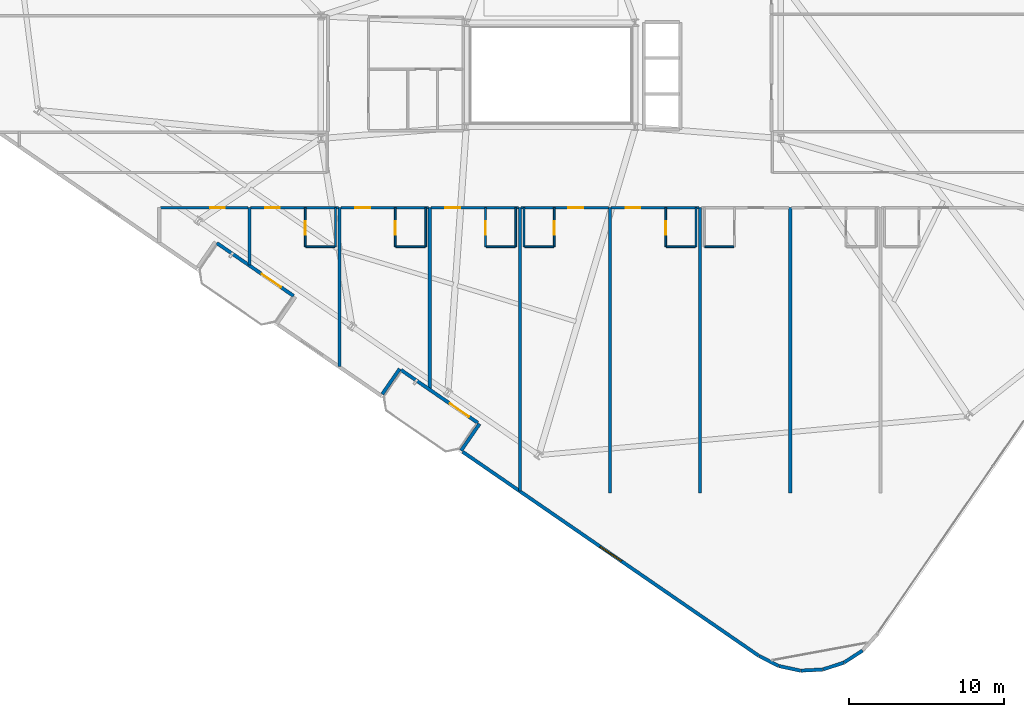
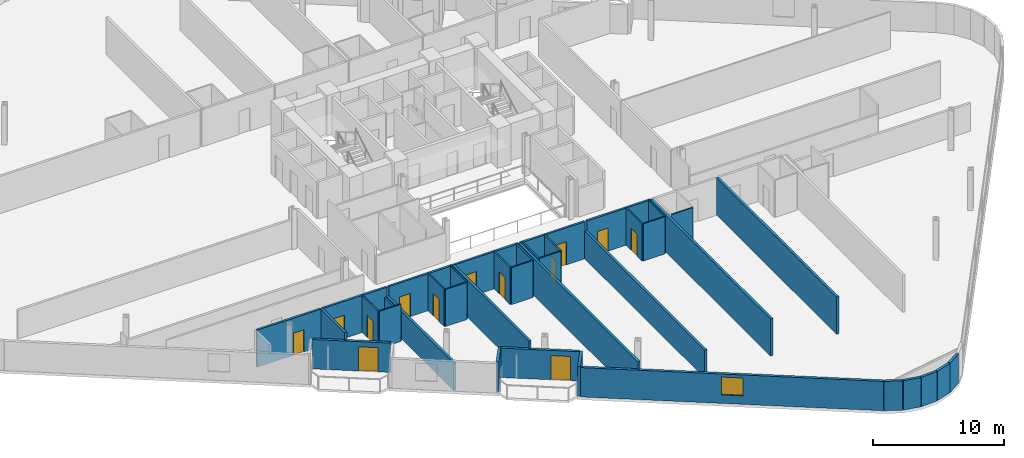
# One storey, part 19 of 27: 39 walls, 13 doors, 1 window, 14 openings.
"""IFC4 building model written with IfcOpenShell, lengths in metres."""

from ifc_helpers import new_model, si_unit, direction, frame, frame_2d, origin, place, context, subcontext, project, spatial, rectangle, extrude, material, layer, layer_set, type_object, element, fill, save


model = new_model("IFC4")

# Units and contexts
model_context = context("Model", 3, precision=1e-05, world=origin(), true_north=direction((0.0, 1.0)))
body_context = subcontext(model_context, "Body", "Model", "MODEL_VIEW")
ifc_project = project(units=[si_unit("LENGTHUNIT", "METRE"), si_unit("AREAUNIT", "SQUARE_METRE"), si_unit("VOLUMEUNIT", "CUBIC_METRE"), si_unit("PLANEANGLEUNIT", "RADIAN"), si_unit("MASSUNIT", "GRAM", prefix="KILO")], contexts=[model_context])

# Site, building, storey
site_placement = place(None, origin())
site = spatial("IfcSite", under=ifc_project, at=site_placement, CompositionType="ELEMENT")
building_placement = place(site_placement, origin())
building = spatial("IfcBuilding", under=site, at=building_placement, Name="Varnelok Gate Tower", CompositionType="ELEMENT")
storey_placement = place(building_placement, frame((0.0, 0.0, 60.300048828125)))
storey = spatial("IfcBuildingStorey", under=building, at=storey_placement, Name="L14", CompositionType="ELEMENT", Elevation=60.300048828125)

# Wall, opening, door
ifc_material_1 = material(Name="Concrete C45/55", Category="concrete")
ifc_layer_1 = layer(ifc_material_1, 0.219970703125)
ifc_layer_set_1 = layer_set([ifc_layer_1], Name="Concrete C45/55")
wall_type_1 = type_object("IfcWallType", Name="EW-BALC-220", PredefinedType="SOLIDWALL", material=ifc_layer_set_1)
wall_1_placement = place(storey_placement, frame((22.642822265625, 8.667236328125, 0.0), z_axis=(0.0, 0.0, 1.0), x_axis=(-0.823534636215, 0.567265989598, 0.0)))
wall_1 = element("IfcWall", 1, at=wall_1_placement, inside=storey, type_object=wall_type_1, Name="L14 South Terrace Envelope Wall 1", PredefinedType="SOLIDWALL", context=body_context, shape_type="SweptSolid", body=[
    extrude(rectangle(XDim=6.0, YDim=0.219970703125, at=frame_2d((3.0, 0.0))), origin(), (0.0, 0.0, 1.0), 2.72998046875),
])
opening_1_placement = place(wall_1_placement, frame((0.991943359375, 0.0, 0.0)))
opening_1 = element("IfcOpeningElement", 2, at=opening_1_placement, cuts=wall_1, Name="Opening BD-1", PredefinedType="OPENING", context=body_context, shape_type="SweptSolid", body=[
    extrude(rectangle(XDim=1.5, YDim=2.25, at=frame_2d((0.75, 1.125))), frame((0.0, 0.119873046875, 0.0), z_axis=(0.0, -1.0, 0.0), x_axis=(1.0, 0.0, 0.0)), (0.0, 0.0, 1.0), 0.239990234375),
])
ifc_material_2 = material(Name="Anodized Aluminum Alloy 6063-T6", Category="aluminium")
door_type_1 = type_object("IfcDoorType", Name="DR-EXT-BALC1500", OperationType="NOTDEFINED", PredefinedType="DOOR", material=ifc_material_2)
door_1_placement = place(opening_1_placement, origin())
door_1 = element("IfcDoor", 3, at=door_1_placement, inside=storey, type_object=door_type_1, Name="L14 South Balcony Glazed Door 1", OperationType="SINGLE_SWING_RIGHT", OverallHeight=2.25, OverallWidth=1.5, PredefinedType="DOOR", context=body_context, shape_type="SweptSolid", body=[
    extrude(rectangle(XDim=1.5, YDim=2.25, at=frame_2d((0.75, 1.125))), frame((0.0, 0.02490234375, 0.0), z_axis=(0.0, -1.0, 0.0), x_axis=(1.0, 0.0, 0.0)), (0.0, 0.0, 1.0), 0.050048828125),
])
fill(opening_1, door_1)

wall_2_placement = place(storey_placement, frame((34.501708984375, 0.49853515625, 0.0), z_axis=(0.0, 0.0, 1.0), x_axis=(-0.823534636215, 0.567265989598, 0.0)))
wall_2 = element("IfcWall", 4, at=wall_2_placement, inside=storey, type_object=wall_type_1, Name="L14 South Terrace Envelope Wall 2", PredefinedType="SOLIDWALL", context=body_context, shape_type="SweptSolid", body=[
    extrude(rectangle(XDim=6.0, YDim=0.219970703125, at=frame_2d((3.0, 0.0))), origin(), (0.0, 0.0, 1.0), 2.72998046875),
])
opening_2_placement = place(wall_2_placement, frame((0.696044921875, 0.0, 0.0)))
opening_2 = element("IfcOpeningElement", 5, at=opening_2_placement, cuts=wall_2, Name="Opening BD-1", PredefinedType="OPENING", context=body_context, shape_type="SweptSolid", body=[
    extrude(rectangle(XDim=1.5, YDim=2.25, at=frame_2d((0.75, 1.125))), frame((0.0, 0.119873046875, 0.0), z_axis=(0.0, -1.0, 0.0), x_axis=(1.0, 0.0, 0.0)), (0.0, 0.0, 1.0), 0.239990234375),
])
door_2_placement = place(opening_2_placement, origin())
door_2 = element("IfcDoor", 6, at=door_2_placement, inside=storey, type_object=door_type_1, Name="L14 South Balcony Glazed Door 2", OperationType="SINGLE_SWING_LEFT", OverallHeight=2.25, OverallWidth=1.5, PredefinedType="DOOR", context=body_context, shape_type="SweptSolid", body=[
    extrude(rectangle(XDim=1.5, YDim=2.25, at=frame_2d((0.75, 1.125))), frame((0.0, 0.02490234375, 0.0), z_axis=(0.0, -1.0, 0.0), x_axis=(1.0, 0.0, 0.0)), (0.0, 0.0, 1.0), 0.050048828125),
])
fill(opening_2, door_2)

# Walls
wall_3_placement = place(storey_placement, frame((28.34716796875, 2.351806640625, 0.0), z_axis=(0.0, 0.0, 1.0), x_axis=(0.567215821234, 0.823569190865, 0.0)))
element("IfcWall", 7, at=wall_3_placement, inside=storey, type_object=wall_type_1, Name="L14 Perimeter Facade Closure Wall 11", PredefinedType="SOLIDWALL", context=body_context, shape_type="SweptSolid", body=[
    extrude(rectangle(XDim=1.97509765625, YDim=0.219970703125, at=frame_2d((0.987548828125, 0.0))), origin(), (0.0, 0.0, 1.0), 2.72998046875),
])
wall_4_placement = place(storey_placement, frame((34.606201171875, 0.438720703125, 0.0), z_axis=(0.0, 0.0, 1.0), x_axis=(-0.567219383419, -0.823566737474, 0.0)))
element("IfcWall", 8, at=wall_4_placement, inside=storey, type_object=wall_type_1, Name="L14 Perimeter Facade Closure Wall 12", PredefinedType="SOLIDWALL", context=body_context, shape_type="SweptSolid", body=[
    extrude(rectangle(XDim=2.10009765625, YDim=0.219970703125, at=frame_2d((1.050048828125, 0.0))), origin(), (0.0, 0.0, 1.0), 2.72998046875),
])

# Wall, opening, window
wall_5_placement = place(storey_placement, frame((33.517822265625, -1.36181640625, 0.0), z_axis=(0.0, 0.0, 1.0), x_axis=(0.82353935489, -0.567259139148, 0.0)))
wall_5 = element("IfcWall", 9, at=wall_5_placement, inside=storey, type_object=wall_type_1, Name="L14 Perimeter Facade Closure Wall 13", PredefinedType="SOLIDWALL", context=body_context, shape_type="SweptSolid", body=[
    extrude(rectangle(XDim=23.14697265625, YDim=0.219970703125, at=frame_2d((11.573486328125, 0.0))), origin(), (0.0, 0.0, 1.0), 2.72998046875),
])
opening_3_placement = place(wall_5_placement, frame((10.74853515625, 0.0, 0.800048828125)))
opening_3 = element("IfcOpeningElement", 10, at=opening_3_placement, cuts=wall_5, Name="Opening WN3", PredefinedType="OPENING", context=body_context, shape_type="SweptSolid", body=[
    extrude(rectangle(XDim=1.64990234375, YDim=1.64990234375, at=frame_2d((0.824951171875, 0.824951171875))), frame((0.0, 0.119873046875, 0.0), z_axis=(0.0, -1.0, 0.0), x_axis=(1.0, 0.0, 0.0)), (0.0, 0.0, 1.0), 0.239990234375),
])
ifc_material_3 = material(Name="Low-E Laminated Double Glazing IGU", Category="glass")
window_type = type_object("IfcWindowType", Name="WN-HTL-1650", PartitioningType="SINGLE_PANEL", PredefinedType="WINDOW", material=ifc_material_3)
window_placement = place(opening_3_placement, origin())
window = element("IfcWindow", 11, at=window_placement, inside=storey, type_object=window_type, Name="L14 Perimeter Vision Window 13", OverallHeight=1.64990234375, OverallWidth=1.64990234375, PartitioningType="SINGLE_PANEL", PredefinedType="WINDOW", context=body_context, shape_type="SweptSolid", body=[
    extrude(rectangle(XDim=1.64990234375, YDim=1.64990234375, at=frame_2d((0.824951171875, 0.824951171875))), frame((0.0, 0.030029296875, 0.0), z_axis=(0.0, -1.0, 0.0), x_axis=(1.0, 0.0, 0.0)), (0.0, 0.0, 1.0), 0.06005859375),
])
fill(opening_3, window)

# Walls
wall_6_placement = place(storey_placement, frame((52.602783203125, -14.503662109375, 0.0), z_axis=(0.0, 0.0, 1.0), x_axis=(0.89052335693, -0.45493752402, 0.0)))
element("IfcWall", 12, at=wall_6_placement, inside=storey, type_object=wall_type_1, Name="L14 Perimeter Facade Closure Wall 14", PredefinedType="SOLIDWALL", context=body_context, shape_type="SweptSolid", body=[
    extrude(rectangle(XDim=1.4130859375, YDim=0.219970703125, at=frame_2d((0.70654296875, 0.0))), origin(), (0.0, 0.0, 1.0), 2.72998046875),
])
for number, where, z_axis, x_axis, name in (
    (13, (53.8857421875, -15.15185546875, 0.0), (0.0, 0.0, 1.0), (0.977952168511, -0.208829011645, 0.0), "L14 Perimeter Facade Closure Wall 15"),
    (14, (55.284912109375, -15.444091796875, 0.0), (0.0, 0.0, 1.0), (0.998685611917, 0.051254741739, 0.0), "L14 Perimeter Facade Closure Wall 16"),
    (15, (56.712158203125, -15.364501953125, 0.0), (0.0, 0.0, 1.0), (0.95132472924, 0.308190297603, 0.0), "L14 Perimeter Facade Closure Wall 17"),
    (16, (58.070068359375, -14.91796875, 0.0), (0.0, 0.0, 1.0), (0.839248413468, 0.543748195851, 0.0), "L14 Perimeter Facade Closure Wall 18"),
):
    element("IfcWall", number, at=place(storey_placement, frame(where, z_axis=z_axis, x_axis=x_axis)), inside=storey, type_object=wall_type_1, Name=name, PredefinedType="SOLIDWALL", context=body_context, shape_type="SweptSolid", body=[
        extrude(rectangle(XDim=1.4052734375, YDim=0.219970703125, at=frame_2d((0.70263671875, 0.0))), origin(), (0.0, 0.0, 1.0), 2.72998046875),
    ])

# Wall, opening, door
ifc_material_4 = material(Name="Gypsum Plasterboard Acoustic Partition", Category="gypsum")
ifc_layer_2 = layer(ifc_material_4, 0.179931640625)
ifc_layer_set_2 = layer_set([ifc_layer_2], Name="Gypsum Plasterboard Acoustic Partition")
wall_type_2 = type_object("IfcWallType", Name="PW-CORR-180", PredefinedType="PARTITIONING", material=ifc_layer_set_2)
wall_7_placement = place(storey_placement, frame((14.080078125, 14.35009765625, 0.0), z_axis=(0.0, 0.0, 1.0), x_axis=(1.0, 0.0, 0.0)))
wall_7 = element("IfcWall", 17, at=wall_7_placement, inside=storey, type_object=wall_type_2, Name="Interior Partition", PredefinedType="PARTITIONING", context=body_context, shape_type="SweptSolid", body=[
    extrude(rectangle(XDim=5.639892578125, YDim=0.179931640625, at=frame_2d((2.81982421875, 0.0))), origin(), (0.0, 0.0, 1.0), 3.449951171875),
])
opening_4_placement = place(wall_7_placement, frame((3.195068359375, 0.0, 0.0)))
opening_4 = element("IfcOpeningElement", 18, at=opening_4_placement, cuts=wall_7, Name="Opening D-I2", PredefinedType="OPENING", context=body_context, shape_type="SweptSolid", body=[
    extrude(rectangle(XDim=0.949951171875, YDim=2.050048828125, at=frame_2d((0.47509765625, 1.02490234375))), frame((0.0, 0.099853515625, 0.0), z_axis=(0.0, -1.0, 0.0), x_axis=(1.0, 0.0, 0.0)), (0.0, 0.0, 1.0), 0.199951171875),
])
ifc_material_5 = material(Name="Engineered Hardwood Timber", Category="wood")
door_type_2 = type_object("IfcDoorType", Name="DR-INT-950", OperationType="NOTDEFINED", PredefinedType="DOOR", material=ifc_material_5)
door_3_placement = place(opening_4_placement, origin())
door_3 = element("IfcDoor", 19, at=door_3_placement, inside=storey, type_object=door_type_2, Name="L14 Executive Business Office 1 Door", OperationType="SINGLE_SWING_LEFT", OverallHeight=2.050048828125, OverallWidth=0.949951171875, PredefinedType="DOOR", context=body_context, shape_type="SweptSolid", body=[
    extrude(rectangle(XDim=0.949951171875, YDim=2.050048828125, at=frame_2d((0.47509765625, 1.02490234375))), frame((0.0, 0.02490234375, 0.0), z_axis=(0.0, -1.0, 0.0), x_axis=(1.0, 0.0, 0.0)), (0.0, 0.0, 1.0), 0.050048828125),
])
fill(opening_4, door_3)

wall_8_placement = place(storey_placement, frame((19.8798828125, 14.35009765625, 0.0), z_axis=(0.0, 0.0, 1.0), x_axis=(1.0, 0.0, 0.0)))
wall_8 = element("IfcWall", 20, at=wall_8_placement, inside=storey, type_object=wall_type_2, Name="Interior Partition", PredefinedType="PARTITIONING", context=body_context, shape_type="SweptSolid", body=[
    extrude(rectangle(XDim=5.64013671875, YDim=0.179931640625, at=frame_2d((2.820068359375, 0.0))), origin(), (0.0, 0.0, 1.0), 3.449951171875),
])
opening_5_placement = place(wall_8_placement, frame((0.9326171875, 0.0, 0.0)))
opening_5 = element("IfcOpeningElement", 21, at=opening_5_placement, cuts=wall_8, Name="Opening D-HT", PredefinedType="OPENING", context=body_context, shape_type="SweptSolid", body=[
    extrude(rectangle(XDim=0.949951171875, YDim=2.14990234375, at=frame_2d((0.47509765625, 1.074951171875))), frame((0.0, 0.099853515625, 0.0), z_axis=(0.0, -1.0, 0.0), x_axis=(1.0, 0.0, 0.0)), (0.0, 0.0, 1.0), 0.199951171875),
])
door_type_3 = type_object("IfcDoorType", Name="DR-HTL-950", OperationType="NOTDEFINED", PredefinedType="DOOR", material=ifc_material_5)
door_4_placement = place(opening_5_placement, origin())
door_4 = element("IfcDoor", 22, at=door_4_placement, inside=storey, type_object=door_type_3, Name="L14 Guest Room 03 Entrance Door", OperationType="SINGLE_SWING_RIGHT", OverallHeight=2.14990234375, OverallWidth=0.949951171875, PredefinedType="DOOR", context=body_context, shape_type="SweptSolid", body=[
    extrude(rectangle(XDim=0.949951171875, YDim=2.14990234375, at=frame_2d((0.47509765625, 1.074951171875))), frame((0.0, 0.02490234375, 0.0), z_axis=(0.0, -1.0, 0.0), x_axis=(1.0, 0.0, 0.0)), (0.0, 0.0, 1.0), 0.050048828125),
])
fill(opening_5, door_4)

wall_9_placement = place(storey_placement, frame((25.679931640625, 14.35009765625, 0.0), z_axis=(0.0, 0.0, 1.0), x_axis=(1.0, 0.0, 0.0)))
wall_9 = element("IfcWall", 23, at=wall_9_placement, inside=storey, type_object=wall_type_2, Name="Interior Partition", PredefinedType="PARTITIONING", context=body_context, shape_type="SweptSolid", body=[
    extrude(rectangle(XDim=5.64013671875, YDim=0.179931640625, at=frame_2d((2.820068359375, 0.0))), origin(), (0.0, 0.0, 1.0), 3.449951171875),
])
opening_6_placement = place(wall_9_placement, frame((0.9326171875, 0.0, 0.0)))
opening_6 = element("IfcOpeningElement", 24, at=opening_6_placement, cuts=wall_9, Name="Opening D-HT", PredefinedType="OPENING", context=body_context, shape_type="SweptSolid", body=[
    extrude(rectangle(XDim=0.949951171875, YDim=2.14990234375, at=frame_2d((0.47509765625, 1.074951171875))), frame((0.0, 0.099853515625, 0.0), z_axis=(0.0, -1.0, 0.0), x_axis=(1.0, 0.0, 0.0)), (0.0, 0.0, 1.0), 0.199951171875),
])
door_5_placement = place(opening_6_placement, origin())
door_5 = element("IfcDoor", 25, at=door_5_placement, inside=storey, type_object=door_type_3, Name="L14 Guest Room 04 Entrance Door", OperationType="SINGLE_SWING_LEFT", OverallHeight=2.14990234375, OverallWidth=0.949951171875, PredefinedType="DOOR", context=body_context, shape_type="SweptSolid", body=[
    extrude(rectangle(XDim=0.949951171875, YDim=2.14990234375, at=frame_2d((0.47509765625, 1.074951171875))), frame((0.0, 0.02490234375, 0.0), z_axis=(0.0, -1.0, 0.0), x_axis=(1.0, 0.0, 0.0)), (0.0, 0.0, 1.0), 0.050048828125),
])
fill(opening_6, door_5)

wall_10_placement = place(storey_placement, frame((31.47998046875, 14.35009765625, 0.0), z_axis=(0.0, 0.0, 1.0), x_axis=(1.0, 0.0, 0.0)))
wall_10 = element("IfcWall", 26, at=wall_10_placement, inside=storey, type_object=wall_type_2, Name="Interior Partition", PredefinedType="PARTITIONING", context=body_context, shape_type="SweptSolid", body=[
    extrude(rectangle(XDim=5.64013671875, YDim=0.179931640625, at=frame_2d((2.820068359375, 0.0))), origin(), (0.0, 0.0, 1.0), 3.449951171875),
])
opening_7_placement = place(wall_10_placement, frame((0.9326171875, 0.0, 0.0)))
opening_7 = element("IfcOpeningElement", 27, at=opening_7_placement, cuts=wall_10, Name="Opening D-HT", PredefinedType="OPENING", context=body_context, shape_type="SweptSolid", body=[
    extrude(rectangle(XDim=0.949951171875, YDim=2.14990234375, at=frame_2d((0.47509765625, 1.074951171875))), frame((0.0, 0.099853515625, 0.0), z_axis=(0.0, -1.0, 0.0), x_axis=(1.0, 0.0, 0.0)), (0.0, 0.0, 1.0), 0.199951171875),
])
door_6_placement = place(opening_7_placement, origin())
door_6 = element("IfcDoor", 28, at=door_6_placement, inside=storey, type_object=door_type_3, Name="L14 Guest Room 05 Entrance Door", OperationType="SINGLE_SWING_RIGHT", OverallHeight=2.14990234375, OverallWidth=0.949951171875, PredefinedType="DOOR", context=body_context, shape_type="SweptSolid", body=[
    extrude(rectangle(XDim=0.949951171875, YDim=2.14990234375, at=frame_2d((0.47509765625, 1.074951171875))), frame((0.0, 0.02490234375, 0.0), z_axis=(0.0, -1.0, 0.0), x_axis=(1.0, 0.0, 0.0)), (0.0, 0.0, 1.0), 0.050048828125),
])
fill(opening_7, door_6)

wall_11_placement = place(storey_placement, frame((37.280029296875, 14.35009765625, 0.0), z_axis=(0.0, 0.0, 1.0), x_axis=(1.0, 0.0, 0.0)))
wall_11 = element("IfcWall", 29, at=wall_11_placement, inside=storey, type_object=wall_type_2, Name="Interior Partition", PredefinedType="PARTITIONING", context=body_context, shape_type="SweptSolid", body=[
    extrude(rectangle(XDim=5.639892578125, YDim=0.179931640625, at=frame_2d((2.81982421875, 0.0))), origin(), (0.0, 0.0, 1.0), 3.449951171875),
])
opening_8_placement = place(wall_11_placement, frame((3.044677734375, 0.0, 0.0)))
opening_8 = element("IfcOpeningElement", 30, at=opening_8_placement, cuts=wall_11, Name="Opening D-HT", PredefinedType="OPENING", context=body_context, shape_type="SweptSolid", body=[
    extrude(rectangle(XDim=0.949951171875, YDim=2.14990234375, at=frame_2d((0.47509765625, 1.074951171875))), frame((0.0, 0.099853515625, 0.0), z_axis=(0.0, -1.0, 0.0), x_axis=(1.0, 0.0, 0.0)), (0.0, 0.0, 1.0), 0.199951171875),
])
door_7_placement = place(opening_8_placement, origin())
door_7 = element("IfcDoor", 31, at=door_7_placement, inside=storey, type_object=door_type_3, Name="L14 Guest Room 06 Entrance Door", OperationType="SINGLE_SWING_LEFT", OverallHeight=2.14990234375, OverallWidth=0.949951171875, PredefinedType="DOOR", context=body_context, shape_type="SweptSolid", body=[
    extrude(rectangle(XDim=0.949951171875, YDim=2.14990234375, at=frame_2d((0.47509765625, 1.074951171875))), frame((0.0, 0.02490234375, 0.0), z_axis=(0.0, -1.0, 0.0), x_axis=(1.0, 0.0, 0.0)), (0.0, 0.0, 1.0), 0.050048828125),
])
fill(opening_8, door_7)

wall_12_placement = place(storey_placement, frame((43.080078125, 14.35009765625, 0.0), z_axis=(0.0, 0.0, 1.0), x_axis=(1.0, 0.0, 0.0)))
wall_12 = element("IfcWall", 32, at=wall_12_placement, inside=storey, type_object=wall_type_2, Name="Interior Partition", PredefinedType="PARTITIONING", context=body_context, shape_type="SweptSolid", body=[
    extrude(rectangle(XDim=5.639892578125, YDim=0.179931640625, at=frame_2d((2.81982421875, 0.0))), origin(), (0.0, 0.0, 1.0), 3.449951171875),
])
opening_9_placement = place(wall_12_placement, frame((0.9326171875, 0.0, 0.0)))
opening_9 = element("IfcOpeningElement", 33, at=opening_9_placement, cuts=wall_12, Name="Opening D-HT", PredefinedType="OPENING", context=body_context, shape_type="SweptSolid", body=[
    extrude(rectangle(XDim=0.949951171875, YDim=2.14990234375, at=frame_2d((0.47509765625, 1.074951171875))), frame((0.0, 0.099853515625, 0.0), z_axis=(0.0, -1.0, 0.0), x_axis=(1.0, 0.0, 0.0)), (0.0, 0.0, 1.0), 0.199951171875),
])
door_8_placement = place(opening_9_placement, origin())
door_8 = element("IfcDoor", 34, at=door_8_placement, inside=storey, type_object=door_type_3, Name="L14 Guest Room 07 Entrance Door", OperationType="SINGLE_SWING_RIGHT", OverallHeight=2.14990234375, OverallWidth=0.949951171875, PredefinedType="DOOR", context=body_context, shape_type="SweptSolid", body=[
    extrude(rectangle(XDim=0.949951171875, YDim=2.14990234375, at=frame_2d((0.47509765625, 1.074951171875))), frame((0.0, 0.02490234375, 0.0), z_axis=(0.0, -1.0, 0.0), x_axis=(1.0, 0.0, 0.0)), (0.0, 0.0, 1.0), 0.050048828125),
])
fill(opening_9, door_8)

# Wall
ifc_layer_3 = layer(ifc_material_4, 0.114990234375)
ifc_layer_set_3 = layer_set([ifc_layer_3], Name="Gypsum Plasterboard Acoustic Partition")
wall_type_3 = type_object("IfcWallType", Name="PW-ENS-125", PredefinedType="PARTITIONING", material=ifc_layer_set_3)
wall_13_placement = place(storey_placement, frame((23.427978515625, 11.830078125, 0.0), z_axis=(0.0, 0.0, 1.0), x_axis=(1.0, 0.0, 0.0)))
element("IfcWall", 35, at=wall_13_placement, inside=storey, type_object=wall_type_3, Name="Interior Partition", PredefinedType="PARTITIONING", context=body_context, shape_type="SweptSolid", body=[
    extrude(rectangle(XDim=1.8720703125, YDim=0.114990234375, at=frame_2d((0.93603515625, 0.0))), origin(), (0.0, 0.0, 1.0), 3.449951171875),
])

# Wall, opening, door
wall_14_placement = place(storey_placement, frame((23.387939453125, 11.830078125, 0.0), z_axis=(0.0, 0.0, 1.0), x_axis=(0.0, 1.0, 0.0)))
wall_14 = element("IfcWall", 36, at=wall_14_placement, inside=storey, type_object=wall_type_3, Name="Interior Partition", PredefinedType="PARTITIONING", context=body_context, shape_type="SweptSolid", body=[
    extrude(rectangle(XDim=2.52001953125, YDim=0.114990234375, at=frame_2d((1.260009765625, 0.0))), origin(), (0.0, 0.0, 1.0), 3.449951171875),
])
opening_10_placement = place(wall_14_placement, frame((0.760009765625, 0.0, 0.0)))
opening_10 = element("IfcOpeningElement", 37, at=opening_10_placement, cuts=wall_14, Name="Opening D-WC", PredefinedType="OPENING", context=body_context, shape_type="SweptSolid", body=[
    extrude(rectangle(XDim=0.89990234375, YDim=2.050048828125, at=frame_2d((0.449951171875, 1.02490234375))), frame((0.0, 0.0673828125, 0.0), z_axis=(0.0, -1.0, 0.0), x_axis=(1.0, 0.0, 0.0)), (0.0, 0.0, 1.0), 0.135009765625),
])
door_type_4 = type_object("IfcDoorType", Name="DR-BATH-900", OperationType="NOTDEFINED", PredefinedType="DOOR", material=ifc_material_5)
door_9_placement = place(opening_10_placement, origin())
door_9 = element("IfcDoor", 38, at=door_9_placement, inside=storey, type_object=door_type_4, Name="L14 Guest En-Suite 03 Door", OperationType="SINGLE_SWING_RIGHT", OverallHeight=2.050048828125, OverallWidth=0.89990234375, PredefinedType="DOOR", context=body_context, shape_type="SweptSolid", body=[
    extrude(rectangle(XDim=0.89990234375, YDim=2.050048828125, at=frame_2d((0.449951171875, 1.02490234375))), frame((0.0, 0.02490234375, 0.0), z_axis=(0.0, -1.0, 0.0), x_axis=(1.0, 0.0, 0.0)), (0.0, 0.0, 1.0), 0.050048828125),
])
fill(opening_10, door_9)

# Walls
wall_15_placement = place(storey_placement, frame((25.340087890625, 11.830078125, 0.0), z_axis=(0.0, 0.0, 1.0), x_axis=(0.0, 1.0, 0.0)))
element("IfcWall", 39, at=wall_15_placement, inside=storey, type_object=wall_type_3, Name="Interior Partition", PredefinedType="PARTITIONING", context=body_context, shape_type="SweptSolid", body=[
    extrude(rectangle(XDim=2.52001953125, YDim=0.114990234375, at=frame_2d((1.260009765625, 0.0))), origin(), (0.0, 0.0, 1.0), 2.579833984375),
])
wall_16_placement = place(storey_placement, frame((29.22802734375, 11.830078125, 0.0), z_axis=(0.0, 0.0, 1.0), x_axis=(1.0, 0.0, 0.0)))
element("IfcWall", 40, at=wall_16_placement, inside=storey, type_object=wall_type_3, Name="Interior Partition", PredefinedType="PARTITIONING", context=body_context, shape_type="SweptSolid", body=[
    extrude(rectangle(XDim=1.8720703125, YDim=0.114990234375, at=frame_2d((0.93603515625, 0.0))), origin(), (0.0, 0.0, 1.0), 3.449951171875),
])

# Wall, opening, door
wall_17_placement = place(storey_placement, frame((29.18798828125, 11.830078125, 0.0), z_axis=(0.0, 0.0, 1.0), x_axis=(0.0, 1.0, 0.0)))
wall_17 = element("IfcWall", 41, at=wall_17_placement, inside=storey, type_object=wall_type_3, Name="Interior Partition", PredefinedType="PARTITIONING", context=body_context, shape_type="SweptSolid", body=[
    extrude(rectangle(XDim=2.52001953125, YDim=0.114990234375, at=frame_2d((1.260009765625, 0.0))), origin(), (0.0, 0.0, 1.0), 3.449951171875),
])
opening_11_placement = place(wall_17_placement, frame((0.760009765625, 0.0, 0.0)))
opening_11 = element("IfcOpeningElement", 42, at=opening_11_placement, cuts=wall_17, Name="Opening D-WC", PredefinedType="OPENING", context=body_context, shape_type="SweptSolid", body=[
    extrude(rectangle(XDim=0.89990234375, YDim=2.050048828125, at=frame_2d((0.449951171875, 1.02490234375))), frame((0.0, 0.0673828125, 0.0), z_axis=(0.0, -1.0, 0.0), x_axis=(1.0, 0.0, 0.0)), (0.0, 0.0, 1.0), 0.135009765625),
])
door_10_placement = place(opening_11_placement, origin())
door_10 = element("IfcDoor", 43, at=door_10_placement, inside=storey, type_object=door_type_4, Name="L14 Guest En-Suite 04 Door", OperationType="SINGLE_SWING_RIGHT", OverallHeight=2.050048828125, OverallWidth=0.89990234375, PredefinedType="DOOR", context=body_context, shape_type="SweptSolid", body=[
    extrude(rectangle(XDim=0.89990234375, YDim=2.050048828125, at=frame_2d((0.449951171875, 1.02490234375))), frame((0.0, 0.02490234375, 0.0), z_axis=(0.0, -1.0, 0.0), x_axis=(1.0, 0.0, 0.0)), (0.0, 0.0, 1.0), 0.050048828125),
])
fill(opening_11, door_10)

# Walls
wall_18_placement = place(storey_placement, frame((31.139892578125, 11.830078125, 0.0), z_axis=(0.0, 0.0, 1.0), x_axis=(0.0, 1.0, 0.0)))
element("IfcWall", 44, at=wall_18_placement, inside=storey, type_object=wall_type_3, Name="Interior Partition", PredefinedType="PARTITIONING", context=body_context, shape_type="SweptSolid", body=[
    extrude(rectangle(XDim=2.52001953125, YDim=0.114990234375, at=frame_2d((1.260009765625, 0.0))), origin(), (0.0, 0.0, 1.0), 3.449951171875),
])
wall_19_placement = place(storey_placement, frame((35.028076171875, 11.830078125, 0.0), z_axis=(0.0, 0.0, 1.0), x_axis=(1.0, 0.0, 0.0)))
element("IfcWall", 45, at=wall_19_placement, inside=storey, type_object=wall_type_3, Name="Interior Partition", PredefinedType="PARTITIONING", context=body_context, shape_type="SweptSolid", body=[
    extrude(rectangle(XDim=1.871826171875, YDim=0.114990234375, at=frame_2d((0.93603515625, 0.0))), origin(), (0.0, 0.0, 1.0), 3.449951171875),
])

# Wall, opening, door
wall_20_placement = place(storey_placement, frame((34.988037109375, 11.830078125, 0.0), z_axis=(0.0, 0.0, 1.0), x_axis=(0.0, 1.0, 0.0)))
wall_20 = element("IfcWall", 46, at=wall_20_placement, inside=storey, type_object=wall_type_3, Name="Interior Partition", PredefinedType="PARTITIONING", context=body_context, shape_type="SweptSolid", body=[
    extrude(rectangle(XDim=2.52001953125, YDim=0.114990234375, at=frame_2d((1.260009765625, 0.0))), origin(), (0.0, 0.0, 1.0), 3.449951171875),
])
opening_12_placement = place(wall_20_placement, frame((0.760009765625, 0.0, 0.0)))
opening_12 = element("IfcOpeningElement", 47, at=opening_12_placement, cuts=wall_20, Name="Opening D-WC", PredefinedType="OPENING", context=body_context, shape_type="SweptSolid", body=[
    extrude(rectangle(XDim=0.89990234375, YDim=2.050048828125, at=frame_2d((0.449951171875, 1.02490234375))), frame((0.0, 0.0673828125, 0.0), z_axis=(0.0, -1.0, 0.0), x_axis=(1.0, 0.0, 0.0)), (0.0, 0.0, 1.0), 0.135009765625),
])
door_11_placement = place(opening_12_placement, origin())
door_11 = element("IfcDoor", 48, at=door_11_placement, inside=storey, type_object=door_type_4, Name="L14 Guest En-Suite 05 Door", OperationType="SINGLE_SWING_RIGHT", OverallHeight=2.050048828125, OverallWidth=0.89990234375, PredefinedType="DOOR", context=body_context, shape_type="SweptSolid", body=[
    extrude(rectangle(XDim=0.89990234375, YDim=2.050048828125, at=frame_2d((0.449951171875, 1.02490234375))), frame((0.0, 0.02490234375, 0.0), z_axis=(0.0, -1.0, 0.0), x_axis=(1.0, 0.0, 0.0)), (0.0, 0.0, 1.0), 0.050048828125),
])
fill(opening_12, door_11)

# Walls
wall_21_placement = place(storey_placement, frame((36.93994140625, 11.830078125, 0.0), z_axis=(0.0, 0.0, 1.0), x_axis=(0.0, 1.0, 0.0)))
element("IfcWall", 49, at=wall_21_placement, inside=storey, type_object=wall_type_3, Name="Interior Partition", PredefinedType="PARTITIONING", context=body_context, shape_type="SweptSolid", body=[
    extrude(rectangle(XDim=2.52001953125, YDim=0.114990234375, at=frame_2d((1.260009765625, 0.0))), origin(), (0.0, 0.0, 1.0), 3.449951171875),
])
wall_22_placement = place(storey_placement, frame((37.5, 11.830078125, 0.0), z_axis=(0.0, 0.0, 1.0), x_axis=(1.0, 0.0, 0.0)))
element("IfcWall", 50, at=wall_22_placement, inside=storey, type_object=wall_type_3, Name="Interior Partition", PredefinedType="PARTITIONING", context=body_context, shape_type="SweptSolid", body=[
    extrude(rectangle(XDim=1.8720703125, YDim=0.114990234375, at=frame_2d((0.93603515625, 0.0))), origin(), (0.0, 0.0, 1.0), 3.449951171875),
])

# Wall, opening, door
wall_23_placement = place(storey_placement, frame((39.412109375, 11.830078125, 0.0), z_axis=(0.0, 0.0, 1.0), x_axis=(0.0, 1.0, 0.0)))
wall_23 = element("IfcWall", 51, at=wall_23_placement, inside=storey, type_object=wall_type_3, Name="Interior Partition", PredefinedType="PARTITIONING", context=body_context, shape_type="SweptSolid", body=[
    extrude(rectangle(XDim=2.52001953125, YDim=0.114990234375, at=frame_2d((1.260009765625, 0.0))), origin(), (0.0, 0.0, 1.0), 3.449951171875),
])
opening_13_placement = place(wall_23_placement, frame((0.760009765625, 0.0, 0.0)))
opening_13 = element("IfcOpeningElement", 52, at=opening_13_placement, cuts=wall_23, Name="Opening D-WC", PredefinedType="OPENING", context=body_context, shape_type="SweptSolid", body=[
    extrude(rectangle(XDim=0.89990234375, YDim=2.050048828125, at=frame_2d((0.449951171875, 1.02490234375))), frame((0.0, 0.0673828125, 0.0), z_axis=(0.0, -1.0, 0.0), x_axis=(1.0, 0.0, 0.0)), (0.0, 0.0, 1.0), 0.135009765625),
])
door_12_placement = place(opening_13_placement, origin())
door_12 = element("IfcDoor", 53, at=door_12_placement, inside=storey, type_object=door_type_4, Name="L14 Guest En-Suite 06 Door", OperationType="SINGLE_SWING_LEFT", OverallHeight=2.050048828125, OverallWidth=0.89990234375, PredefinedType="DOOR", context=body_context, shape_type="SweptSolid", body=[
    extrude(rectangle(XDim=0.89990234375, YDim=2.050048828125, at=frame_2d((0.449951171875, 1.02490234375))), frame((0.0, 0.02490234375, 0.0), z_axis=(0.0, -1.0, 0.0), x_axis=(1.0, 0.0, 0.0)), (0.0, 0.0, 1.0), 0.050048828125),
])
fill(opening_13, door_12)

# Walls
wall_24_placement = place(storey_placement, frame((37.4599609375, 11.830078125, 0.0), z_axis=(0.0, 0.0, 1.0), x_axis=(0.0, 1.0, 0.0)))
element("IfcWall", 54, at=wall_24_placement, inside=storey, type_object=wall_type_3, Name="Interior Partition", PredefinedType="PARTITIONING", context=body_context, shape_type="SweptSolid", body=[
    extrude(rectangle(XDim=2.52001953125, YDim=0.114990234375, at=frame_2d((1.260009765625, 0.0))), origin(), (0.0, 0.0, 1.0), 3.449951171875),
])
wall_25_placement = place(storey_placement, frame((46.6279296875, 11.830078125, 0.0), z_axis=(0.0, 0.0, 1.0), x_axis=(1.0, 0.0, 0.0)))
element("IfcWall", 55, at=wall_25_placement, inside=storey, type_object=wall_type_3, Name="Interior Partition", PredefinedType="PARTITIONING", context=body_context, shape_type="SweptSolid", body=[
    extrude(rectangle(XDim=1.8720703125, YDim=0.114990234375, at=frame_2d((0.93603515625, 0.0))), origin(), (0.0, 0.0, 1.0), 3.449951171875),
])

# Wall, opening, door
wall_26_placement = place(storey_placement, frame((46.587890625, 11.830078125, 0.0), z_axis=(0.0, 0.0, 1.0), x_axis=(0.0, 1.0, 0.0)))
wall_26 = element("IfcWall", 56, at=wall_26_placement, inside=storey, type_object=wall_type_3, Name="Interior Partition", PredefinedType="PARTITIONING", context=body_context, shape_type="SweptSolid", body=[
    extrude(rectangle(XDim=2.52001953125, YDim=0.114990234375, at=frame_2d((1.260009765625, 0.0))), origin(), (0.0, 0.0, 1.0), 3.449951171875),
])
opening_14_placement = place(wall_26_placement, frame((0.760009765625, 0.0, 0.0)))
opening_14 = element("IfcOpeningElement", 57, at=opening_14_placement, cuts=wall_26, Name="Opening D-WC", PredefinedType="OPENING", context=body_context, shape_type="SweptSolid", body=[
    extrude(rectangle(XDim=0.89990234375, YDim=2.050048828125, at=frame_2d((0.449951171875, 1.02490234375))), frame((0.0, 0.0673828125, 0.0), z_axis=(0.0, -1.0, 0.0), x_axis=(1.0, 0.0, 0.0)), (0.0, 0.0, 1.0), 0.135009765625),
])
door_13_placement = place(opening_14_placement, origin())
door_13 = element("IfcDoor", 58, at=door_13_placement, inside=storey, type_object=door_type_4, Name="L14 Guest En-Suite 07 Door", OperationType="SINGLE_SWING_RIGHT", OverallHeight=2.050048828125, OverallWidth=0.89990234375, PredefinedType="DOOR", context=body_context, shape_type="SweptSolid", body=[
    extrude(rectangle(XDim=0.89990234375, YDim=2.050048828125, at=frame_2d((0.449951171875, 1.02490234375))), frame((0.0, 0.02490234375, 0.0), z_axis=(0.0, -1.0, 0.0), x_axis=(1.0, 0.0, 0.0)), (0.0, 0.0, 1.0), 0.050048828125),
])
fill(opening_14, door_13)

# Walls
wall_27_placement = place(storey_placement, frame((48.5400390625, 11.830078125, 0.0), z_axis=(0.0, 0.0, 1.0), x_axis=(0.0, 1.0, 0.0)))
element("IfcWall", 59, at=wall_27_placement, inside=storey, type_object=wall_type_3, Name="Interior Partition", PredefinedType="PARTITIONING", context=body_context, shape_type="SweptSolid", body=[
    extrude(rectangle(XDim=2.52001953125, YDim=0.114990234375, at=frame_2d((1.260009765625, 0.0))), origin(), (0.0, 0.0, 1.0), 3.449951171875),
])
wall_28_placement = place(storey_placement, frame((49.10009765625, 11.830078125, 0.0), z_axis=(0.0, 0.0, 1.0), x_axis=(1.0, 0.0, 0.0)))
element("IfcWall", 60, at=wall_28_placement, inside=storey, type_object=wall_type_3, Name="Interior Partition", PredefinedType="PARTITIONING", context=body_context, shape_type="SweptSolid", body=[
    extrude(rectangle(XDim=1.871826171875, YDim=0.114990234375, at=frame_2d((0.93603515625, 0.0))), origin(), (0.0, 0.0, 1.0), 3.449951171875),
])
ifc_layer_4 = layer(ifc_material_4, 0.205078125)
ifc_layer_set_4 = layer_set([ifc_layer_4], Name="Gypsum Plasterboard Acoustic Partition")
wall_type_4 = type_object("IfcWallType", Name="PW-PARTY-200", PredefinedType="PARTITIONING", material=ifc_layer_set_4)
wall_29_placement = place(storey_placement, frame((19.800048828125, 10.661865234375, 0.0), z_axis=(0.0, 0.0, 1.0), x_axis=(0.0, 1.0, 0.0)))
element("IfcWall", 61, at=wall_29_placement, inside=storey, type_object=wall_type_4, Name="L14 South Party Wall 2", PredefinedType="PARTITIONING", context=body_context, shape_type="SweptSolid", body=[
    extrude(rectangle(XDim=3.688232421875, YDim=0.205078125, at=frame_2d((1.84423828125, 0.0))), origin(), (0.0, 0.0, 1.0), 3.449951171875),
])
wall_30_placement = place(storey_placement, frame((25.60009765625, 4.11669921875, 0.0), z_axis=(0.0, 0.0, 1.0), x_axis=(0.0, 1.0, 0.0)))
element("IfcWall", 62, at=wall_30_placement, inside=storey, type_object=wall_type_4, Name="L14 South Party Wall 3", PredefinedType="PARTITIONING", context=body_context, shape_type="SweptSolid", body=[
    extrude(rectangle(XDim=10.2333984375, YDim=0.205078125, at=frame_2d((5.11669921875, 0.0))), origin(), (0.0, 0.0, 1.0), 2.579833984375),
])
wall_31_placement = place(storey_placement, frame((31.39990234375, 2.67138671875, 0.0), z_axis=(0.0, 0.0, 1.0), x_axis=(0.0, 1.0, 0.0)))
element("IfcWall", 63, at=wall_31_placement, inside=storey, type_object=wall_type_4, Name="L14 South Party Wall 4", PredefinedType="PARTITIONING", context=body_context, shape_type="SweptSolid", body=[
    extrude(rectangle(XDim=11.6787109375, YDim=0.205078125, at=frame_2d((5.83935546875, 0.0))), origin(), (0.0, 0.0, 1.0), 3.449951171875),
])
wall_32_placement = place(storey_placement, frame((37.199951171875, -3.873779296875, 0.0), z_axis=(0.0, 0.0, 1.0), x_axis=(0.0, 1.0, 0.0)))
element("IfcWall", 64, at=wall_32_placement, inside=storey, type_object=wall_type_4, Name="L14 South Party Wall 5", PredefinedType="PARTITIONING", context=body_context, shape_type="SweptSolid", body=[
    extrude(rectangle(XDim=18.223876953125, YDim=0.205078125, at=frame_2d((9.11181640625, 0.0))), origin(), (0.0, 0.0, 1.0), 3.449951171875),
])
wall_33_placement = place(storey_placement, frame((43.0, -4.0, 0.0), z_axis=(0.0, 0.0, 1.0), x_axis=(0.0, 1.0, 0.0)))
element("IfcWall", 65, at=wall_33_placement, inside=storey, type_object=wall_type_4, Name="L14 South Party Wall 6", PredefinedType="PARTITIONING", context=body_context, shape_type="SweptSolid", body=[
    extrude(rectangle(XDim=18.35009765625, YDim=0.205078125, at=frame_2d((9.175048828125, 0.0))), origin(), (0.0, 0.0, 1.0), 2.579833984375),
])
for number, where, z_axis, x_axis, name in (
    (66, (48.800048828125, -4.0, 0.0), (0.0, 0.0, 1.0), (0.0, 1.0, 0.0), "L14 South Party Wall 7"),
    (67, (54.60009765625, -4.0, 0.0), (0.0, 0.0, 1.0), (0.0, 1.0, 0.0), "L14 South Party Wall 8"),
):
    element("IfcWall", number, at=place(storey_placement, frame(where, z_axis=z_axis, x_axis=x_axis)), inside=storey, type_object=wall_type_4, Name=name, PredefinedType="PARTITIONING", context=body_context, shape_type="SweptSolid", body=[
        extrude(rectangle(XDim=18.35009765625, YDim=0.205078125, at=frame_2d((9.175048828125, 0.0))), origin(), (0.0, 0.0, 1.0), 3.449951171875),
    ])

save(model, "model.ifc")
